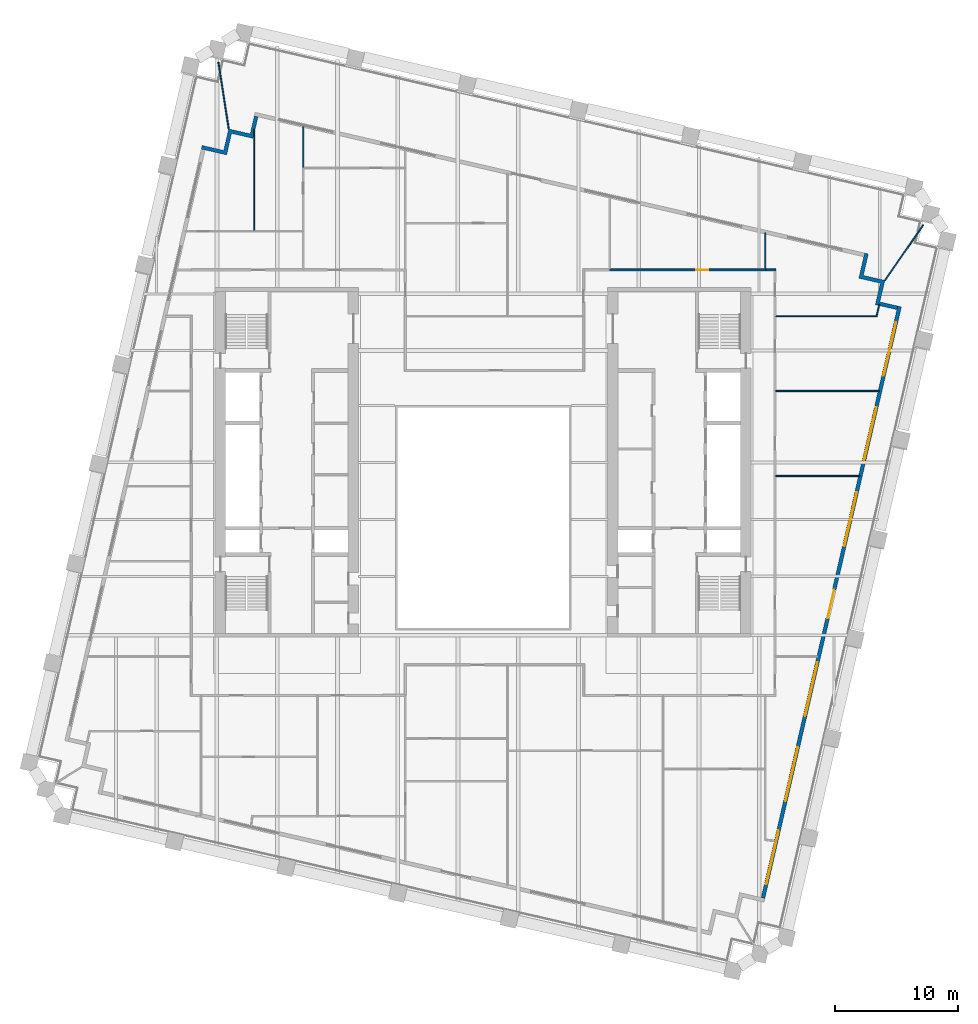
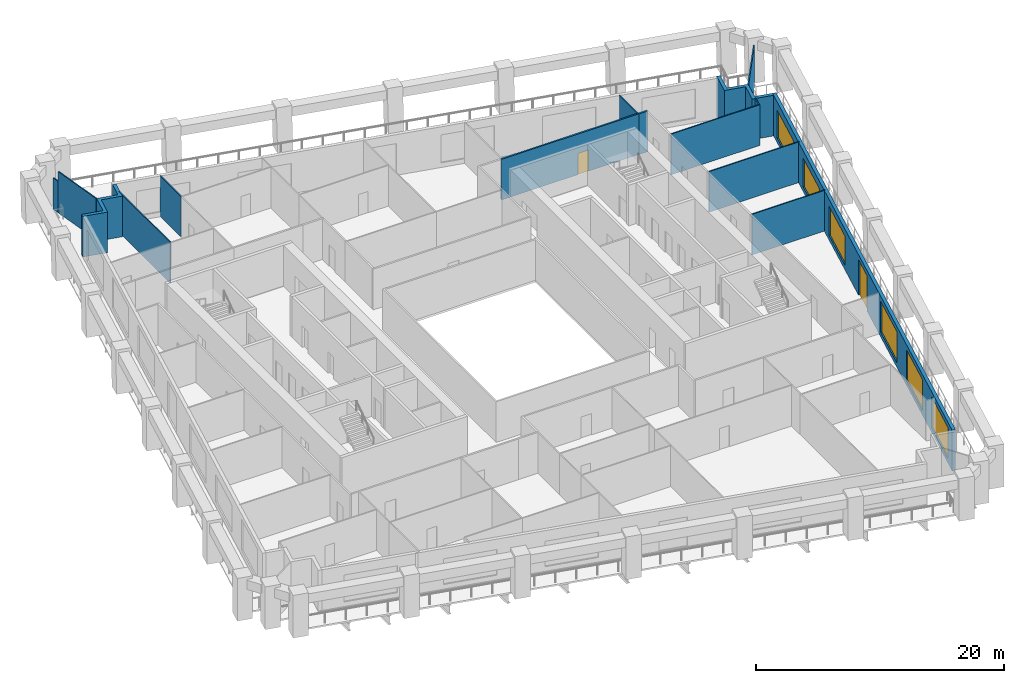
# One storey, part 9 of 12: 15 walls, 6 windows, 2 doors, 8 openings.
"""IFC4 building model written with IfcOpenShell, lengths in metres."""

from ifc_helpers import new_model, si_unit, direction, frame, frame_2d, origin, place, context, subcontext, project, spatial, polyline, rectangle, outline, extrude, material, layer, layer_set, type_object, element, fill, save


model = new_model("IFC4")

# Units and contexts
model_context = context("Model", 3, precision=1e-05, world=origin(), true_north=direction((0.0, 1.0)))
body_context = subcontext(model_context, "Body", "Model", "MODEL_VIEW")
ifc_project = project(units=[si_unit("LENGTHUNIT", "METRE"), si_unit("AREAUNIT", "SQUARE_METRE"), si_unit("VOLUMEUNIT", "CUBIC_METRE"), si_unit("PLANEANGLEUNIT", "RADIAN"), si_unit("MASSUNIT", "GRAM", prefix="KILO")], contexts=[model_context])

# Site, building, storey
site_placement = place(None, origin())
site = spatial("IfcSite", under=ifc_project, at=site_placement, CompositionType="ELEMENT")
building_placement = place(site_placement, origin())
building = spatial("IfcBuilding", under=site, at=building_placement, Name="Ogive Exchange Tower", CompositionType="ELEMENT")
storey_placement = place(building_placement, frame((0.0, 0.0, 139.199951171875)))
storey = spatial("IfcBuildingStorey", under=building, at=storey_placement, Name="L30", CompositionType="ELEMENT", Elevation=139.199951171875)

# Wall, opening, door
ifc_material_1 = material(Name="Fire partition EI 60 150")
ifc_layer_1 = layer(ifc_material_1, 0.14990234375)
ifc_layer_set_1 = layer_set([ifc_layer_1], Name="Fire partition EI 60 150")
wall_type_1 = type_object("IfcWallType", Name="Fire partition EI 60 150", PredefinedType="PARTITIONING", material=ifc_layer_set_1)
wall_1_placement = place(storey_placement, frame((10.27001953125, 27.199951171875, 0.0), z_axis=(0.0, 0.0, 1.0), x_axis=(1.0, 0.0, 0.0)))
wall_1 = element("IfcWall", 1, at=wall_1_placement, inside=storey, type_object=wall_type_1, Name="L30-PWL-066", PredefinedType="PARTITIONING", context=body_context, shape_type="SweptSolid", body=[
    extrude(rectangle(XDim=12.7900390625, YDim=0.14990234375, at=frame_2d((6.39501953125, 0.0))), origin(), (0.0, 0.0, 1.0), 4.0),
])
opening_1_placement = place(wall_1_placement, frame((7.090087890625, 0.0, 0.0)))
opening_1 = element("IfcOpeningElement", 2, at=opening_1_placement, cuts=wall_1, Name="Opening L30-I16", PredefinedType="OPENING", context=body_context, shape_type="SweptSolid", body=[
    extrude(rectangle(XDim=1.0, YDim=2.10009765625, at=frame_2d((0.5, 1.050048828125))), frame((0.0, 0.0849609375, 0.0), z_axis=(0.0, -1.0, 0.0), x_axis=(1.0, 0.0, 0.0)), (0.0, 0.0, 1.0), 0.169921875),
])
ifc_material_2 = material(Name="Fire door FD 30S 1000 x 2100")
door_type_1 = type_object("IfcDoorType", Name="Fire door FD 30S 1000 x 2100", OperationType="NOTDEFINED", PredefinedType="DOOR", material=ifc_material_2)
door_1_placement = place(opening_1_placement, origin())
door_1 = element("IfcDoor", 3, at=door_1_placement, inside=storey, type_object=door_type_1, Name="L30-IDR-016", ObjectType="DT3", OperationType="SINGLE_SWING_LEFT", OverallHeight=2.10009765625, OverallWidth=1.0, PredefinedType="DOOR", context=body_context, shape_type="SweptSolid", body=[
    extrude(rectangle(XDim=1.0, YDim=2.10009765625, at=frame_2d((0.5, 1.050048828125))), frame((0.0, 0.02490234375, 0.0), z_axis=(0.0, -1.0, 0.0), x_axis=(1.0, 0.0, 0.0)), (0.0, 0.0, 1.0), 0.050048828125),
])
fill(opening_1, door_1)

# Wall
wall_2_placement = place(storey_placement, frame((23.06005859375, 27.199951171875, 0.0), z_axis=(0.0, 0.0, 1.0), x_axis=(1.0, 0.0, 0.0)))
element("IfcWall", 4, at=wall_2_placement, inside=storey, type_object=wall_type_1, Name="L30-PWL-078", PredefinedType="PARTITIONING", context=body_context, shape_type="SweptSolid", body=[
    extrude(rectangle(XDim=0.81494140625, YDim=0.14990234375, at=frame_2d((0.407470703125, 0.0))), origin(), (0.0, 0.0, 1.0), 4.0),
])

# Wall, openings, door, windows
ifc_material_3 = material(Name="Precast concrete C40/50", Category="concrete")
ifc_layer_2 = layer(ifc_material_3, 0.300048828125)
ifc_layer_set_2 = layer_set([ifc_layer_2], Name="Limestone-faced wall 300")
wall_type_2 = type_object("IfcWallType", Name="Limestone-faced wall 300", PredefinedType="STANDARD", material=ifc_layer_set_2)
wall_3_placement = place(storey_placement, frame((22.8203125, -24.015625, 0.0), z_axis=(0.0, 0.0, 1.0), x_axis=(0.224953880882, 0.974369412223, 0.0)))
wall_3 = element("IfcWall", 5, at=wall_3_placement, inside=storey, type_object=wall_type_2, Name="External wall E2", PredefinedType="STANDARD", context=body_context, shape_type="SweptSolid", body=[
    extrude(rectangle(XDim=49.500244140625, YDim=0.300048828125, at=frame_2d((24.75, 0.0))), origin(), (0.0, 0.0, 1.0), 4.0),
])
opening_2_placement = place(wall_3_placement, frame((1.156982421875, 0.0, 0.449951171875)))
opening_2 = element("IfcOpeningElement", 6, at=opening_2_placement, cuts=wall_3, Name="Opening W1", PredefinedType="OPENING", context=body_context, shape_type="SweptSolid", body=[
    extrude(rectangle(XDim=4.5, YDim=3.050048828125, at=frame_2d((2.25, 1.52490234375))), frame((0.0, 0.159912109375, 0.0), z_axis=(0.0, -1.0, 0.0), x_axis=(1.0, 0.0, 0.0)), (0.0, 0.0, 1.0), 0.320068359375),
])
opening_3_placement = place(wall_3_placement, frame((8.121337890625, 0.0, 0.449951171875)))
opening_3 = element("IfcOpeningElement", 7, at=opening_3_placement, cuts=wall_3, Name="Opening W1", PredefinedType="OPENING", context=body_context, shape_type="SweptSolid", body=[
    extrude(rectangle(XDim=4.5, YDim=3.050048828125, at=frame_2d((2.25, 1.52490234375))), frame((0.0, 0.159912109375, 0.0), z_axis=(0.0, -1.0, 0.0), x_axis=(1.0, 0.0, 0.0)), (0.0, 0.0, 1.0), 0.320068359375),
])
opening_4_placement = place(wall_3_placement, frame((15.235595703125, 0.0, 0.449951171875)))
opening_4 = element("IfcOpeningElement", 8, at=opening_4_placement, cuts=wall_3, Name="Opening W1", PredefinedType="OPENING", context=body_context, shape_type="SweptSolid", body=[
    extrude(rectangle(XDim=4.5, YDim=3.050048828125, at=frame_2d((2.25, 1.52490234375))), frame((0.0, 0.159912109375, 0.0), z_axis=(0.0, -1.0, 0.0), x_axis=(1.0, 0.0, 0.0)), (0.0, 0.0, 1.0), 0.320068359375),
])
opening_5_placement = place(wall_3_placement, frame((23.39990234375, 0.0, 0.0)))
opening_5 = element("IfcOpeningElement", 9, at=opening_5_placement, cuts=wall_3, Name="Opening D1", PredefinedType="OPENING", context=body_context, shape_type="SweptSolid", body=[
    extrude(rectangle(XDim=2.39990234375, YDim=3.5, at=frame_2d((1.199951171875, 1.75))), frame((0.0, 0.159912109375, 0.0), z_axis=(0.0, -1.0, 0.0), x_axis=(1.0, 0.0, 0.0)), (0.0, 0.0, 1.0), 0.320068359375),
])
opening_6_placement = place(wall_3_placement, frame((29.464111328125, 0.0, 0.449951171875)))
opening_6 = element("IfcOpeningElement", 10, at=opening_6_placement, cuts=wall_3, Name="Opening W1D", PredefinedType="OPENING", context=body_context, shape_type="SweptSolid", body=[
    extrude(rectangle(XDim=4.5, YDim=2.875, at=frame_2d((2.25, 1.4375))), frame((0.0, 0.159912109375, 0.0), z_axis=(0.0, -1.0, 0.0), x_axis=(1.0, 0.0, 0.0)), (0.0, 0.0, 1.0), 0.320068359375),
])
opening_7_placement = place(wall_3_placement, frame((36.57861328125, 0.0, 0.449951171875)))
opening_7 = element("IfcOpeningElement", 11, at=opening_7_placement, cuts=wall_3, Name="Opening W1E", PredefinedType="OPENING", context=body_context, shape_type="SweptSolid", body=[
    extrude(rectangle(XDim=4.5, YDim=2.824951171875, at=frame_2d((2.25, 1.41259765625))), frame((0.0, 0.159912109375, 0.0), z_axis=(0.0, -1.0, 0.0), x_axis=(1.0, 0.0, 0.0)), (0.0, 0.0, 1.0), 0.320068359375),
])
opening_8_placement = place(wall_3_placement, frame((43.69287109375, 0.0, 0.449951171875)))
opening_8 = element("IfcOpeningElement", 12, at=opening_8_placement, cuts=wall_3, Name="Opening W1H", PredefinedType="OPENING", context=body_context, shape_type="SweptSolid", body=[
    extrude(rectangle(XDim=4.5, YDim=2.75, at=frame_2d((2.25, 1.375))), frame((0.0, 0.159912109375, 0.0), z_axis=(0.0, -1.0, 0.0), x_axis=(1.0, 0.0, 0.0)), (0.0, 0.0, 1.0), 0.320068359375),
])
ifc_material_4 = material(Name="Clear glass in bronze frame", Category="glass")
door_type_2 = type_object("IfcDoorType", Name="Sliding loggia door 2400 x 3500", OperationType="DOUBLE_DOOR_SLIDING", PredefinedType="DOOR", material=ifc_material_4)
door_2_placement = place(opening_5_placement, origin())
door_2 = element("IfcDoor", 13, at=door_2_placement, inside=storey, type_object=door_type_2, Name="Loggia door E03", OperationType="DOUBLE_DOOR_SLIDING", OverallHeight=3.5, OverallWidth=2.39990234375, PredefinedType="DOOR", context=body_context, shape_type="SweptSolid", body=[
    extrude(rectangle(XDim=2.39990234375, YDim=3.5, at=frame_2d((1.199951171875, 1.75))), frame((0.0, 0.02490234375, 0.0), z_axis=(0.0, -1.0, 0.0), x_axis=(1.0, 0.0, 0.0)), (0.0, 0.0, 1.0), 0.050048828125),
])
fill(opening_5, door_2)
window_type_1 = type_object("IfcWindowType", Name="Twin lancet window 4500 x 2750", PartitioningType="DOUBLE_PANEL_VERTICAL", PredefinedType="WINDOW", material=ifc_material_4)
window_1_placement = place(opening_8_placement, origin())
window_1 = element("IfcWindow", 14, at=window_1_placement, inside=storey, type_object=window_type_1, Name="Window E06", OverallHeight=2.75, OverallWidth=4.5, PartitioningType="DOUBLE_PANEL_VERTICAL", PredefinedType="WINDOW", context=body_context, shape_type="SweptSolid", body=[
    extrude(rectangle(XDim=4.5, YDim=2.75, at=frame_2d((2.25, 1.375))), frame((0.0, 0.030029296875, 0.0), z_axis=(0.0, -1.0, 0.0), x_axis=(1.0, 0.0, 0.0)), (0.0, 0.0, 1.0), 0.06005859375),
])
fill(opening_8, window_1)
window_type_2 = type_object("IfcWindowType", Name="Twin lancet window 4500 x 2825", PartitioningType="DOUBLE_PANEL_VERTICAL", PredefinedType="WINDOW", material=ifc_material_4)
window_2_placement = place(opening_7_placement, origin())
window_2 = element("IfcWindow", 15, at=window_2_placement, inside=storey, type_object=window_type_2, Name="Window E05", OverallHeight=2.824951171875, OverallWidth=4.5, PartitioningType="DOUBLE_PANEL_VERTICAL", PredefinedType="WINDOW", context=body_context, shape_type="SweptSolid", body=[
    extrude(rectangle(XDim=4.5, YDim=2.824951171875, at=frame_2d((2.25, 1.41259765625))), frame((0.0, 0.030029296875, 0.0), z_axis=(0.0, -1.0, 0.0), x_axis=(1.0, 0.0, 0.0)), (0.0, 0.0, 1.0), 0.06005859375),
])
fill(opening_7, window_2)
window_type_3 = type_object("IfcWindowType", Name="Twin lancet window 4500 x 2875", PartitioningType="DOUBLE_PANEL_VERTICAL", PredefinedType="WINDOW", material=ifc_material_4)
window_3_placement = place(opening_6_placement, origin())
window_3 = element("IfcWindow", 16, at=window_3_placement, inside=storey, type_object=window_type_3, Name="Window E04", OverallHeight=2.875, OverallWidth=4.5, PartitioningType="DOUBLE_PANEL_VERTICAL", PredefinedType="WINDOW", context=body_context, shape_type="SweptSolid", body=[
    extrude(rectangle(XDim=4.5, YDim=2.875, at=frame_2d((2.25, 1.4375))), frame((0.0, 0.030029296875, 0.0), z_axis=(0.0, -1.0, 0.0), x_axis=(1.0, 0.0, 0.0)), (0.0, 0.0, 1.0), 0.06005859375),
])
fill(opening_6, window_3)
window_type_4 = type_object("IfcWindowType", Name="Twin lancet window 4500 x 3050", PartitioningType="DOUBLE_PANEL_VERTICAL", PredefinedType="WINDOW", material=ifc_material_4)
window_4_placement = place(opening_2_placement, origin())
window_4 = element("IfcWindow", 17, at=window_4_placement, inside=storey, type_object=window_type_4, Name="Window E00", OverallHeight=3.050048828125, OverallWidth=4.5, PartitioningType="DOUBLE_PANEL_VERTICAL", PredefinedType="WINDOW", context=body_context, shape_type="SweptSolid", body=[
    extrude(rectangle(XDim=4.5, YDim=3.050048828125, at=frame_2d((2.25, 1.52490234375))), frame((0.0, 0.030029296875, 0.0), z_axis=(0.0, -1.0, 0.0), x_axis=(1.0, 0.0, 0.0)), (0.0, 0.0, 1.0), 0.06005859375),
])
fill(opening_2, window_4)
window_5_placement = place(opening_3_placement, origin())
window_5 = element("IfcWindow", 18, at=window_5_placement, inside=storey, type_object=window_type_4, Name="Window E01", OverallHeight=3.050048828125, OverallWidth=4.5, PartitioningType="DOUBLE_PANEL_VERTICAL", PredefinedType="WINDOW", context=body_context, shape_type="SweptSolid", body=[
    extrude(rectangle(XDim=4.5, YDim=3.050048828125, at=frame_2d((2.25, 1.52490234375))), frame((0.0, 0.030029296875, 0.0), z_axis=(0.0, -1.0, 0.0), x_axis=(1.0, 0.0, 0.0)), (0.0, 0.0, 1.0), 0.06005859375),
])
fill(opening_3, window_5)
window_6_placement = place(opening_4_placement, origin())
window_6 = element("IfcWindow", 19, at=window_6_placement, inside=storey, type_object=window_type_4, Name="Window E02", OverallHeight=3.050048828125, OverallWidth=4.5, PartitioningType="DOUBLE_PANEL_VERTICAL", PredefinedType="WINDOW", context=body_context, shape_type="SweptSolid", body=[
    extrude(rectangle(XDim=4.5, YDim=3.050048828125, at=frame_2d((2.25, 1.52490234375))), frame((0.0, 0.030029296875, 0.0), z_axis=(0.0, -1.0, 0.0), x_axis=(1.0, 0.0, 0.0)), (0.0, 0.0, 1.0), 0.06005859375),
])
fill(opening_4, window_6)

# Walls
wall_4_placement = place(storey_placement, origin())
element("IfcWall", 20, at=wall_4_placement, inside=storey, type_object=wall_type_2, Name="External corner wall C2", PredefinedType="STANDARD", context=body_context, shape_type="SweptSolid", body=[
    extrude(outline(polyline([(32.392822265625, 26.115966796875), (30.638916015625, 26.52099609375), (31.111328125, 28.56689453125), (31.40380859375, 28.49951171875), (30.998779296875, 26.74560546875), (32.752685546875, 26.3408203125), (32.34765625, 24.5869140625), (33.809326171875, 24.24951171875), (33.74169921875, 23.957275390625), (31.98779296875, 24.362060546875), (32.392822265625, 26.115966796875)])), origin(), (0.0, 0.0, 1.0), 4.0),
])
wall_5_placement = place(storey_placement, origin())
element("IfcWall", 21, at=wall_5_placement, inside=storey, type_object=wall_type_2, Name="External corner wall C3", PredefinedType="STANDARD", context=body_context, shape_type="SweptSolid", body=[
    extrude(outline(polyline([(-22.966552734375, 37.04931640625), (-22.89892578125, 37.341552734375), (-21.145263671875, 36.936767578125), (-20.740234375, 38.690673828125), (-18.986328125, 38.28564453125), (-18.64892578125, 39.747314453125), (-18.356689453125, 39.6796875), (-18.76171875, 37.92578125), (-20.515380859375, 38.330810546875), (-20.92041015625, 36.576904296875), (-22.966552734375, 37.04931640625)])), origin(), (0.0, 0.0, 1.0), 4.0),
])
ifc_material_5 = material(Name="Laminated safety glass in steel frame", Category="steel")
ifc_layer_3 = layer(ifc_material_5, 0.10009765625)
ifc_layer_set_3 = layer_set([ifc_layer_3], Name="Loggia end screen 100")
wall_type_3 = type_object("IfcWallType", Name="Loggia end screen 100", PredefinedType="STANDARD", material=ifc_layer_set_3)
wall_6_placement = place(storey_placement, frame((32.752685546875, 26.3408203125, -0.050048828125), z_axis=(0.0, 0.0, 1.0), x_axis=(0.570723811276, 0.821142089557, 0.0)))
element("IfcWall", 22, at=wall_6_placement, inside=storey, type_object=wall_type_3, Name="Loggia end screen C2", PredefinedType="STANDARD", context=body_context, shape_type="SweptSolid", body=[
    extrude(rectangle(XDim=5.52294921875, YDim=0.10009765625, at=frame_2d((2.761474609375, 0.0))), origin(), (0.0, 0.0, 1.0), 4.050048828125),
])
wall_7_placement = place(storey_placement, frame((-20.740234375, 38.690673828125, -0.050048828125), z_axis=(0.0, 0.0, 1.0), x_axis=(-0.153017511603, 0.988223477328, 0.0)))
element("IfcWall", 23, at=wall_7_placement, inside=storey, type_object=wall_type_3, Name="Loggia end screen C3", PredefinedType="STANDARD", context=body_context, shape_type="SweptSolid", body=[
    extrude(rectangle(XDim=4.87109375, YDim=0.10009765625, at=frame_2d((2.435546875, 0.0))), origin(), (0.0, 0.0, 1.0), 4.050048828125),
])
wall_8_placement = place(storey_placement, frame((-21.485595703125, 43.50439453125, -0.050048828125), z_axis=(0.0, 0.0, 1.0), x_axis=(-0.152845355744, 0.988250118759, 0.0)))
element("IfcWall", 24, at=wall_8_placement, inside=storey, type_object=wall_type_3, Name="Loggia end screen C3", PredefinedType="STANDARD", context=body_context, shape_type="SweptSolid", body=[
    extrude(rectangle(XDim=0.651611328125, YDim=0.10009765625, at=frame_2d((0.32568359375, 0.0))), origin(), (0.0, 0.0, 1.0), 3.080078125),
])
ifc_material_6 = material(Name="Partition 100 gypsum")
ifc_layer_4 = layer(ifc_material_6, 0.10009765625)
ifc_layer_set_4 = layer_set([ifc_layer_4], Name="Partition 100 gypsum")
wall_type_4 = type_object("IfcWallType", Name="Partition 100 gypsum", PredefinedType="PARTITIONING", material=ifc_layer_set_4)
wall_9_placement = place(storey_placement, frame((-18.64990234375, 30.389892578125, 0.0), z_axis=(0.0, 0.0, 1.0), x_axis=(0.0, 1.0, 0.0)))
element("IfcWall", 25, at=wall_9_placement, inside=storey, type_object=wall_type_4, Name="L30-PWL-024", PredefinedType="PARTITIONING", context=body_context, shape_type="SweptSolid", body=[
    extrude(rectangle(XDim=8.26416015625, YDim=0.10009765625, at=frame_2d((4.132080078125, 0.0))), origin(), (0.0, 0.0, 1.0), 4.0),
])
wall_10_placement = place(storey_placement, frame((-14.669921875, 35.550048828125, 0.0), z_axis=(0.0, 0.0, 1.0), x_axis=(0.0, 1.0, 0.0)))
element("IfcWall", 26, at=wall_10_placement, inside=storey, type_object=wall_type_4, Name="L30-PWL-029", PredefinedType="PARTITIONING", context=body_context, shape_type="SweptSolid", body=[
    extrude(rectangle(XDim=3.36083984375, YDim=0.10009765625, at=frame_2d((1.680419921875, 0.0))), origin(), (0.0, 0.0, 1.0), 4.0),
])
wall_11_placement = place(storey_placement, frame((23.010009765625, 30.2119140625, 0.0), z_axis=(0.0, 0.0, 1.0), x_axis=(0.0, -1.0, 0.0)))
element("IfcWall", 27, at=wall_11_placement, inside=storey, type_object=wall_type_4, Name="L30-PWL-079", PredefinedType="PARTITIONING", context=body_context, shape_type="SweptSolid", body=[
    extrude(rectangle(XDim=2.93701171875, YDim=0.10009765625, at=frame_2d((1.468505859375, 0.0))), origin(), (0.0, 0.0, 1.0), 4.0),
])
wall_12_placement = place(storey_placement, frame((23.875, 10.389892578125, 0.0), z_axis=(0.0, 0.0, 1.0), x_axis=(1.0, 0.0, 0.0)))
element("IfcWall", 28, at=wall_12_placement, inside=storey, type_object=wall_type_4, Name="L30-PWL-084", PredefinedType="PARTITIONING", context=body_context, shape_type="SweptSolid", body=[
    extrude(rectangle(XDim=6.81689453125, YDim=0.10009765625, at=frame_2d((3.408447265625, 0.0))), origin(), (0.0, 0.0, 1.0), 4.0),
])
wall_13_placement = place(storey_placement, frame((23.875, 17.320068359375, 0.0), z_axis=(0.0, 0.0, 1.0), x_axis=(1.0, 0.0, 0.0)))
element("IfcWall", 29, at=wall_13_placement, inside=storey, type_object=wall_type_4, Name="L30-PWL-086", PredefinedType="PARTITIONING", context=body_context, shape_type="SweptSolid", body=[
    extrude(rectangle(XDim=8.4169921875, YDim=0.10009765625, at=frame_2d((4.20849609375, 0.0))), origin(), (0.0, 0.0, 1.0), 4.0),
])
wall_14_placement = place(storey_placement, frame((23.875, 23.409912109375, 0.0), z_axis=(0.0, 0.0, 1.0), x_axis=(1.0, 0.0, 0.0)))
element("IfcWall", 30, at=wall_14_placement, inside=storey, type_object=wall_type_4, Name="L30-PWL-088", PredefinedType="PARTITIONING", context=body_context, shape_type="SweptSolid", body=[
    extrude(rectangle(XDim=8.2548828125, YDim=0.10009765625, at=frame_2d((4.12744140625, 0.0))), origin(), (0.0, 0.0, 1.0), 4.0),
])
wall_15_placement = place(storey_placement, frame((32.091064453125, 23.458984375, 0.0), z_axis=(0.0, 0.0, 1.0), x_axis=(0.223406444343, 0.97472537703, 0.0)))
element("IfcWall", 31, at=wall_15_placement, inside=storey, type_object=wall_type_4, Name="L30-PWL-090", PredefinedType="PARTITIONING", context=body_context, shape_type="SweptSolid", body=[
    extrude(rectangle(XDim=0.957275390625, YDim=0.10009765625, at=frame_2d((0.478515625, 0.0))), origin(), (0.0, 0.0, 1.0), 4.0),
])

save(model, "model.ifc")
